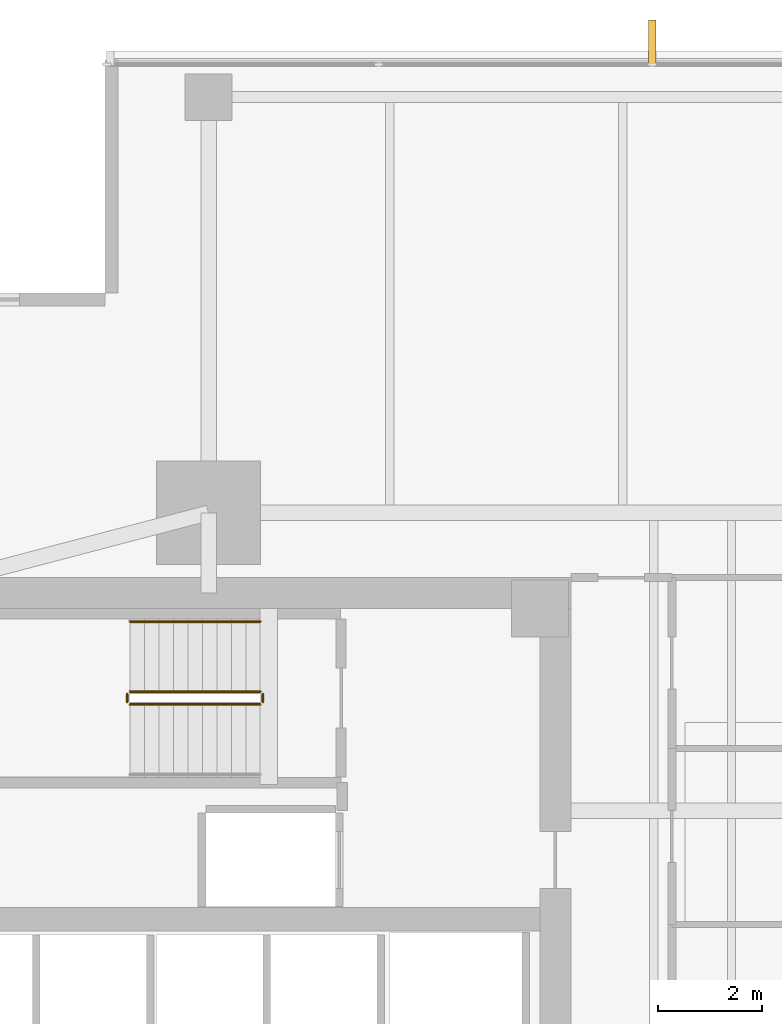
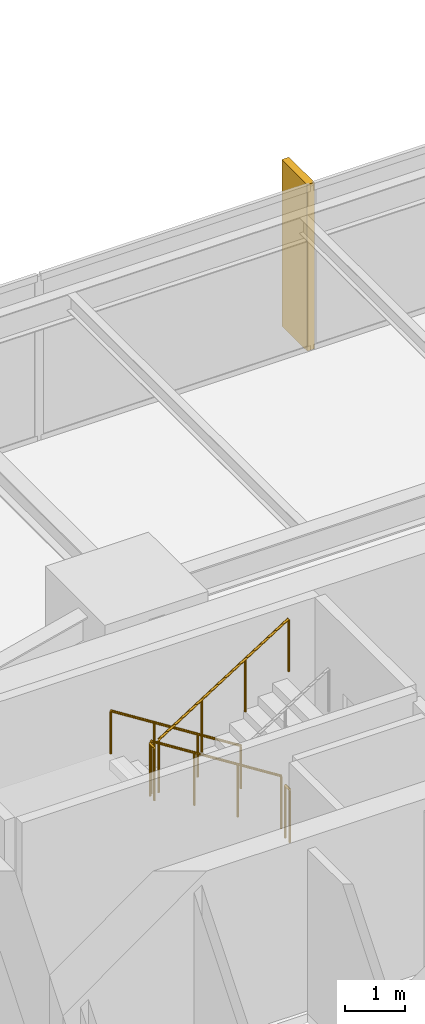
# One storey, part 13 of 14: 5 railings, 1 covering.
"""IFC4 building model written with IfcOpenShell, lengths in metres."""

from ifc_helpers import new_model, si_unit, direction, frame, origin, origin_2d, place, context, subcontext, project, spatial, polyline, circle, outline, extrude, material, layer, layer_set, type_object, element, save


model = new_model("IFC4")

# Units and contexts
model_context = context("Model", 3, precision=1e-05, world=origin(), true_north=direction((0.0, 1.0)))
body_context = subcontext(model_context, "Body", "Model", "MODEL_VIEW")
ifc_project = project(units=[si_unit("LENGTHUNIT", "METRE"), si_unit("AREAUNIT", "SQUARE_METRE"), si_unit("VOLUMEUNIT", "CUBIC_METRE"), si_unit("PLANEANGLEUNIT", "RADIAN"), si_unit("MASSUNIT", "GRAM", prefix="KILO")], contexts=[model_context])

# Site, building, storey
site_placement = place(None, origin())
site = spatial("IfcSite", under=ifc_project, at=site_placement, CompositionType="ELEMENT")
building_placement = place(site_placement, origin())
building = spatial("IfcBuilding", under=site, at=building_placement, Name="Kinhvarn Gate Tower", CompositionType="ELEMENT")
storey_placement = place(building_placement, frame((0.0, 0.0, 127.10009765625)))
storey = spatial("IfcBuildingStorey", under=building, at=storey_placement, Name="L33", CompositionType="ELEMENT", Elevation=127.10009765625)

# Covering
ifc_material_1 = material(Name="Fired architectural terracotta", Category="masonry")
ifc_layer = layer(ifc_material_1, 0.139892578125)
ifc_layer_set = layer_set([ifc_layer], Name="Fired architectural terracotta")
covering_type = type_object("IfcCoveringType", Name="COV-FIN-850", PredefinedType="CLADDING", material=ifc_layer_set)
covering_placement = place(storey_placement, frame((0.0, 0.0, -0.02001953125)))
element("IfcCovering", 1, at=covering_placement, inside=storey, type_object=covering_type, Name="Vertical Terracotta Expressive Fin TFN-850 (L33)", PredefinedType="CLADDING", context=body_context, shape_type="SweptSolid", body=[
    extrude(outline(polyline([(19.641357421875, 46.419921875), (19.50146484375, 46.419921875), (19.50146484375, 47.27001953125), (19.641357421875, 47.27001953125), (19.641357421875, 46.419921875)])), origin(), (0.0, 0.0, 1.0), 3.409912109375),
])

# Railings
ifc_material_2 = material(Name="Steel S355", Category="steel")
railing_type_1 = type_object("IfcRailingType", Name="RL-ST-GRD", PredefinedType="BALUSTRADE", material=ifc_material_2)
railing_1_placement = place(storey_placement, frame((12.0, 34.300048828125, 0.177490234375)))
element("IfcRailing", 2, at=railing_1_placement, inside=storey, type_object=railing_type_1, Name="L33 ST2 stair guard 1", PredefinedType="BALUSTRADE", context=body_context, shape_type="SweptSolid", body=[
    extrude(circle(Radius=0.02392578125, at=origin_2d()), frame((0.0, 0.0, 1.076171875), z_axis=(-0.84460694969, 0.0, 0.535386869969), x_axis=(0.0, -1.0, 0.0)), (0.0, 0.0, 1.0), 2.983642578125),
    extrude(circle(Radius=0.02099609375, at=origin_2d()), origin(), (0.0, 0.0, 1.0), 1.052001953125),
    extrude(circle(Radius=0.02099609375, at=origin_2d()), frame((-0.840087890625, 0.0, 0.532470703125)), (0.0, 0.0, 1.0), 1.052001953125),
    extrude(circle(Radius=0.02099609375, at=origin_2d()), frame((-1.679931640625, 0.0, 1.06494140625)), (0.0, 0.0, 1.0), 1.052001953125),
    extrude(circle(Radius=0.02099609375, at=origin_2d()), frame((-2.52001953125, 0.0, 1.597412109375)), (0.0, 0.0, 1.0), 1.052001953125),
])
railing_2_placement = place(storey_placement, frame((9.429931640625, 34.25, 1.77490234375)))
element("IfcRailing", 3, at=railing_2_placement, inside=storey, type_object=railing_type_1, Name="L33 ST2 stair guard 2", PredefinedType="BALUSTRADE", context=body_context, shape_type="SweptSolid", body=[
    extrude(circle(Radius=0.02392578125, at=origin_2d()), frame((0.0, 0.0, 1.076171875), z_axis=(0.0, -1.0, 0.0), x_axis=(1.0, 0.0, 0.0)), (0.0, 0.0, 1.0), 0.14990234375),
    extrude(circle(Radius=0.02099609375, at=origin_2d()), origin(), (0.0, 0.0, 1.0), 1.052001953125),
    extrude(circle(Radius=0.02099609375, at=origin_2d()), frame((0.0, -0.14990234375, 0.0)), (0.0, 0.0, 1.0), 1.052001953125),
])
railing_3_placement = place(storey_placement, frame((9.47998046875, 34.050048828125, 1.952392578125)))
element("IfcRailing", 4, at=railing_3_placement, inside=storey, type_object=railing_type_1, Name="L33 ST2 stair guard 3", PredefinedType="BALUSTRADE", context=body_context, shape_type="SweptSolid", body=[
    extrude(circle(Radius=0.02392578125, at=origin_2d()), frame((0.0, 0.0, 1.076171875), z_axis=(0.84460694969, 0.0, 0.535386869969), x_axis=(0.0, 1.0, 0.0)), (0.0, 0.0, 1.0), 2.983642578125),
    extrude(circle(Radius=0.02099609375, at=origin_2d()), origin(), (0.0, 0.0, 1.0), 1.052001953125),
    extrude(circle(Radius=0.02099609375, at=origin_2d()), frame((0.840087890625, 0.0, 0.532470703125)), (0.0, 0.0, 1.0), 1.052001953125),
    extrude(circle(Radius=0.02099609375, at=origin_2d()), frame((1.679931640625, 0.0, 1.06494140625)), (0.0, 0.0, 1.0), 1.052001953125),
    extrude(circle(Radius=0.02099609375, at=origin_2d()), frame((2.52001953125, 0.0, 1.597412109375)), (0.0, 0.0, 1.0), 1.052001953125),
])
railing_4_placement = place(storey_placement, frame((12.050048828125, 34.25, 0.0)))
element("IfcRailing", 5, at=railing_4_placement, inside=storey, type_object=railing_type_1, Name="L33 ST2 stair guard 4", PredefinedType="BALUSTRADE", context=body_context, shape_type="SweptSolid", body=[
    extrude(circle(Radius=0.02392578125, at=origin_2d()), frame((0.0, 0.0, 1.076171875), z_axis=(0.0, -1.0, 0.0), x_axis=(1.0, 0.0, 0.0)), (0.0, 0.0, 1.0), 0.14990234375),
    extrude(circle(Radius=0.02099609375, at=origin_2d()), origin(), (0.0, 0.0, 1.0), 1.052001953125),
    extrude(circle(Radius=0.02099609375, at=origin_2d()), frame((0.0, -0.14990234375, 0.0)), (0.0, 0.0, 1.0), 1.052001953125),
])
railing_type_2 = type_object("IfcRailingType", Name="RL-ST-HND", PredefinedType="HANDRAIL", material=ifc_material_2)
railing_5_placement = place(storey_placement, frame((12.0, 35.64990234375, 0.177490234375)))
element("IfcRailing", 6, at=railing_5_placement, inside=storey, type_object=railing_type_2, Name="L33 ST2 stair handrail 1", PredefinedType="HANDRAIL", context=body_context, shape_type="SweptSolid", body=[
    extrude(circle(Radius=0.02392578125, at=origin_2d()), frame((0.0, 0.0, 0.8759765625), z_axis=(-0.84460694969, 0.0, 0.535386869969), x_axis=(0.0, -1.0, 0.0)), (0.0, 0.0, 1.0), 2.983642578125),
    extrude(circle(Radius=0.02099609375, at=origin_2d()), origin(), (0.0, 0.0, 1.0), 0.851806640625),
    extrude(circle(Radius=0.02099609375, at=origin_2d()), frame((-0.840087890625, 0.0, 0.532470703125)), (0.0, 0.0, 1.0), 0.851806640625),
    extrude(circle(Radius=0.02099609375, at=origin_2d()), frame((-1.679931640625, 0.0, 1.06494140625)), (0.0, 0.0, 1.0), 0.851806640625),
    extrude(circle(Radius=0.02099609375, at=origin_2d()), frame((-2.52001953125, 0.0, 1.597412109375)), (0.0, 0.0, 1.0), 0.851806640625),
])

save(model, "model.ifc")
